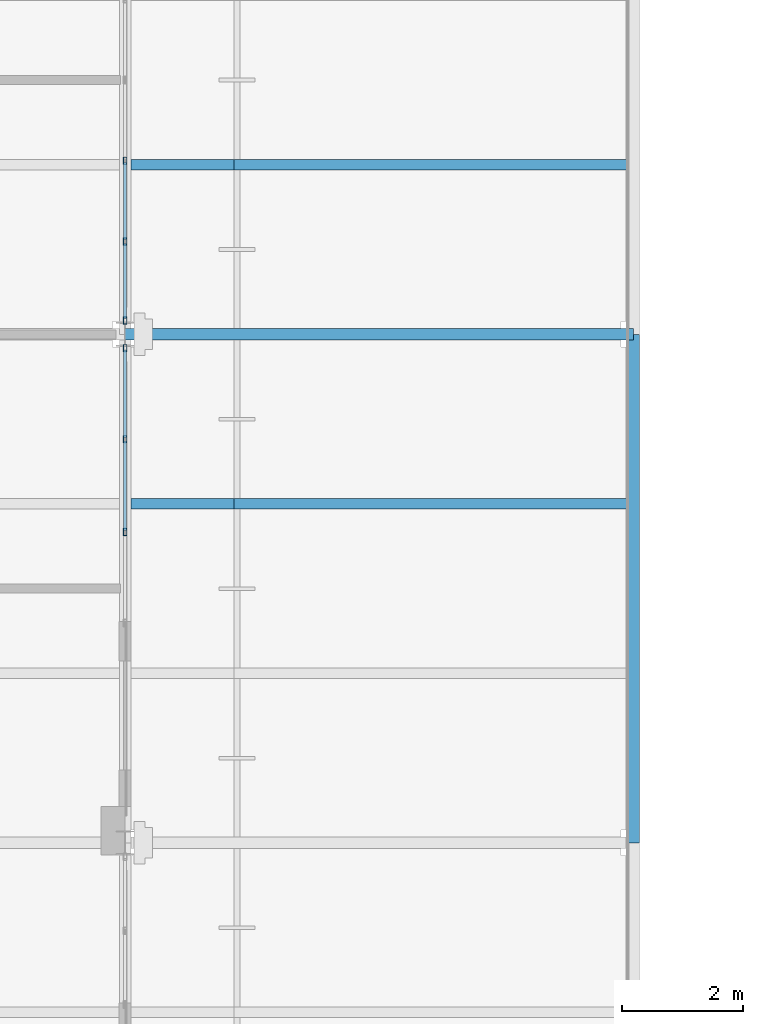
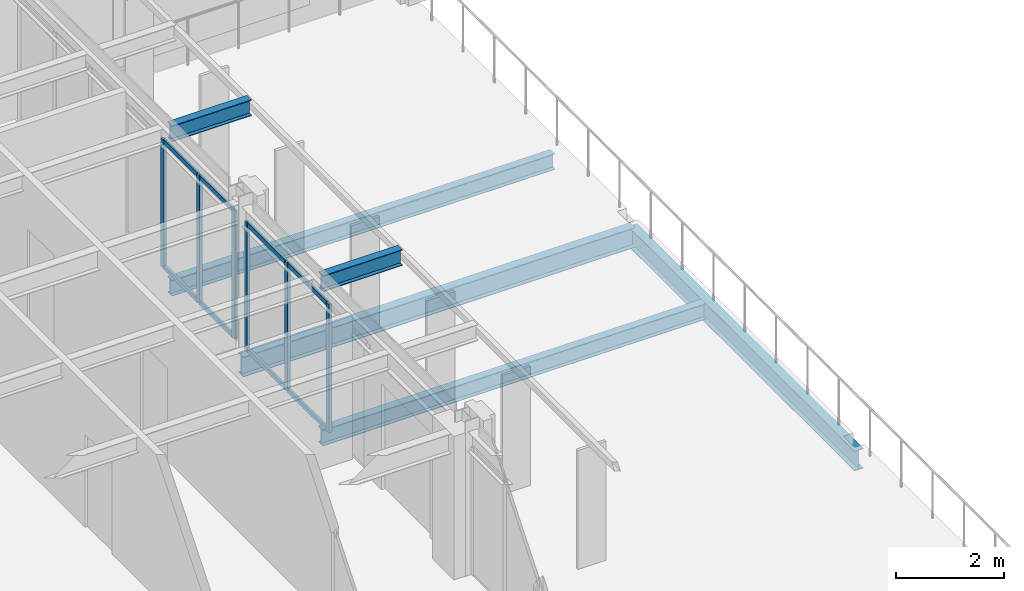
# One storey, part 19 of 31: 14 members, 6 beams, 2 elements without a shape of their own.
"""IFC4 building model written with IfcOpenShell, lengths in metres."""

import ifcopenshell
import ifcopenshell.guid

model = None  # the IFC model being written
_history = None  # IfcOwnerHistory: only IFC2X3 demands one
_inside = {}  # id of a spatial element -> (the spatial element, [elements in it])
_under = {}  # id of a project, library or spatial element -> (it, [spatial elements below it])
_declared = {}  # id of a project -> (the project, [libraries it declares])
_typed = {}  # id of a type object -> (the type object, [elements of that type])
_made_of = {}  # id of a material, layer set ... -> (it, [elements and type objects made of it])


def new_model(schema):
    """Start an empty IFC model of exactly this schema.

    Asked for "IFC4X3", IfcOpenShell would pick the latest addendum, in which some entities
    have other attributes; the version numbers below select the first issue.
    IFC2X3 requires an IfcOwnerHistory on every rooted entity: one is made here for all.
    """
    global model, _history
    if schema == "IFC4X3":
        model = ifcopenshell.file(schema_version=(4, 3, 0, 0))
    else:
        model = ifcopenshell.file(schema=schema)
    _inside.clear()
    _under.clear()
    _declared.clear()
    _typed.clear()
    _made_of.clear()
    _history = None
    if model.schema == "IFC2X3":
        org = make("IfcOrganization", Name="unknown")
        user = make(
            "IfcPersonAndOrganization",
            ThePerson=make("IfcPerson", FamilyName="unknown"),
            TheOrganization=org,
        )
        app = make(
            "IfcApplication",
            ApplicationDeveloper=org,
            Version="unknown",
            ApplicationFullName="unknown",
            ApplicationIdentifier="unknown",
        )
        _history = make(
            "IfcOwnerHistory",
            OwningUser=user,
            OwningApplication=app,
            ChangeAction="ADDED",
            CreationDate=0,
        )
    return model


def make(cls, **values):
    """One entity of the class cls with the attributes given. An attribute that is None is left unset."""
    return model.create_entity(
        cls, **{name: value for name, value in values.items() if value is not None}
    )


def rooted(cls, **values):
    """An entity with a GlobalId (a new one), such as an element, a storey or a relation."""
    return make(cls, GlobalId=ifcopenshell.guid.new(), OwnerHistory=_history, **values)


def si_unit(unit_type, name, prefix=None):
    """IfcSIUnit, for example si_unit("LENGTHUNIT", "METRE", prefix="MILLI")."""
    return make("IfcSIUnit", UnitType=unit_type, Prefix=prefix, Name=name)


def assignment(units):
    """IfcUnitAssignment: the units of a project."""
    return None if units is None else make("IfcUnitAssignment", Units=units)


def point(xyz):
    """IfcCartesianPoint."""
    return None if xyz is None else make("IfcCartesianPoint", Coordinates=xyz)


def direction(xyz):
    """IfcDirection."""
    return None if xyz is None else make("IfcDirection", DirectionRatios=xyz)


def frame(location, z_axis=None, x_axis=None):
    """IfcAxis2Placement3D, a coordinate frame: its origin and axes. An axis left out is left unset."""
    return make(
        "IfcAxis2Placement3D",
        Location=point(location),
        Axis=direction(z_axis),
        RefDirection=direction(x_axis),
    )


def frame_2d(location, x_axis=None):
    """IfcAxis2Placement2D, a coordinate frame in the plane: its origin and x axis."""
    return make(
        "IfcAxis2Placement2D", Location=point(location), RefDirection=direction(x_axis)
    )


def origin():
    """The frame at (0, 0, 0) with its axes left unset."""
    return frame((0.0, 0.0, 0.0))


def origin_2d():
    """The frame at (0, 0) in the plane with its x axis left unset."""
    return frame_2d((0.0, 0.0))


def place(relative_to, where):
    """IfcLocalPlacement: puts the frame where relative to a parent placement (None: the world)."""
    return make(
        "IfcLocalPlacement", PlacementRelTo=relative_to, RelativePlacement=where
    )


def context(
    kind, dimensions, precision=None, world=None, true_north=None, identifier=None
):
    """IfcGeometricRepresentationContext, for example the 3D "Model" context."""
    return make(
        "IfcGeometricRepresentationContext",
        ContextIdentifier=identifier,
        ContextType=kind,
        CoordinateSpaceDimension=dimensions,
        Precision=precision,
        WorldCoordinateSystem=world,
        TrueNorth=true_north,
    )


def subcontext(parent, identifier, kind, view, scale=None):
    """IfcGeometricRepresentationSubContext, for example "Body" below "Model"."""
    return make(
        "IfcGeometricRepresentationSubContext",
        ContextIdentifier=identifier,
        ContextType=kind,
        ParentContext=parent,
        TargetScale=scale,
        TargetView=view,
    )


def project(units=None, contexts=None):
    """IfcProject with its units and contexts."""
    return rooted(
        "IfcProject",
        Name="project",
        RepresentationContexts=contexts,
        UnitsInContext=assignment(units),
    )


def spatial(cls, under=None, at=None, **own):
    """A site, building, storey or space (cls), placed at a placement, below another one or the project."""
    s = rooted(cls, ObjectPlacement=at, **own)
    if under is not None:
        _under.setdefault(under.id(), (under, []))[1].append(s)
    return s


def profile(cls, at=None, kind="AREA", **sizes):
    """A parametric profile (cls). Its sizes go by their IFC names, for example OverallWidth=200.0."""
    return make(cls, ProfileType=kind, Position=at, **sizes)


def hollow_rectangle(**sizes):
    """IfcRectangleHollowProfileDef."""
    return profile("IfcRectangleHollowProfileDef", **sizes)


def i_section(**sizes):
    """IfcIShapeProfileDef."""
    return profile("IfcIShapeProfileDef", **sizes)


def extrude(swept, where, along, depth):
    """IfcExtrudedAreaSolid: the profile swept, set in the frame where, extruded along a direction by depth."""
    return make(
        "IfcExtrudedAreaSolid",
        SweptArea=swept,
        Position=where,
        ExtrudedDirection=direction(along),
        Depth=depth,
    )


def shape(context_of_items, identifier, shape_type, items):
    """IfcShapeRepresentation: the items that make up one representation, for example the "Body"."""
    return make(
        "IfcShapeRepresentation",
        ContextOfItems=context_of_items,
        RepresentationIdentifier=identifier,
        RepresentationType=shape_type,
        Items=items,
    )


def material(Name=None, Category=None):
    """IfcMaterial."""
    return make("IfcMaterial", Name=Name, Category=Category)


def material_profile(
    of_material, cross_section, Name=None, Category=None, Priority=None
):
    """IfcMaterialProfile: a cross section and its material."""
    return make(
        "IfcMaterialProfile",
        Name=Name,
        Material=of_material,
        Profile=cross_section,
        Priority=Priority,
        Category=Category,
    )


def profile_set(profiles, Name=None, composite=None):
    """IfcMaterialProfileSet."""
    return make(
        "IfcMaterialProfileSet",
        Name=Name,
        MaterialProfiles=profiles,
        CompositeProfile=composite,
    )


def made_of(thing, what):
    """Note that an element or type object is made of a material, layer set ...; save() writes the relation."""
    if what is not None:
        _made_of.setdefault(what.id(), (what, []))[1].append(thing)
    return thing


def type_object(cls, material=None, **own):
    """A type object (cls), such as IfcWallType, which elements share."""
    return made_of(rooted(cls, **own), material)


def element(
    cls,
    number,
    at=None,
    inside=None,
    cuts=None,
    type_object=None,
    material=None,
    context=None,
    identifier="Body",
    shape_type=None,
    held_by="IfcProductDefinitionShape",
    body=None,
    shapes=None,
    **own,
):
    """One element of the class cls, such as IfcWall. Its Tag is "e" and its number.

    at: its placement. inside: the storey or other place that contains it. cuts: it is an
    opening in that element (IfcRelVoidsElement). A single representation is given by context,
    identifier, shape_type and body (its items); several are given by shapes. held_by: the class
    of the entity that holds the representations. save() writes the other relations.
    """
    e = rooted(cls, Tag="e%d" % number, ObjectPlacement=at, **own)
    if body is not None:
        shapes = [shape(context, identifier, shape_type, body)]
    if shapes is not None:
        e.Representation = make(held_by, Representations=shapes)
    if inside is not None:
        _inside.setdefault(inside.id(), (inside, []))[1].append(e)
    if cuts is not None:
        rooted(
            "IfcRelVoidsElement", RelatingBuildingElement=cuts, RelatedOpeningElement=e
        )
    if type_object is not None:
        _typed.setdefault(type_object.id(), (type_object, []))[1].append(e)
    return made_of(e, material)


def aggregate(whole, parts):
    """IfcRelAggregates: a whole, such as a stair, and the parts it consists of."""
    return rooted("IfcRelAggregates", RelatingObject=whole, RelatedObjects=parts)


def save(model, path):
    """Write the relations noted so far, then the file.

    IfcRelAggregates (storeys below a building ...), IfcRelContainedInSpatialStructure (elements
    in a storey), IfcRelDefinesByType, IfcRelAssociatesMaterial and IfcRelDeclares: one each for
    every whole, place, type object, material and project.
    """
    for whole, parts in _under.values():
        aggregate(whole, parts)
    for where, things in _inside.values():
        rooted(
            "IfcRelContainedInSpatialStructure",
            RelatedElements=things,
            RelatingStructure=where,
        )
    for kind, things in _typed.values():
        rooted("IfcRelDefinesByType", RelatedObjects=things, RelatingType=kind)
    for what, things in _made_of.values():
        rooted("IfcRelAssociatesMaterial", RelatedObjects=things, RelatingMaterial=what)
    for by, libraries in _declared.values():
        rooted("IfcRelDeclares", RelatingContext=by, RelatedDefinitions=libraries)
    model.write(path)


model = new_model("IFC4")

# Units and contexts
model_context = context("Model", 3, precision=1e-05, world=origin(), true_north=direction((0.0, 1.0)))
body_context = subcontext(model_context, "Body", "Model", "MODEL_VIEW")
ifc_project = project(units=[si_unit("LENGTHUNIT", "METRE"), si_unit("AREAUNIT", "SQUARE_METRE"), si_unit("VOLUMEUNIT", "CUBIC_METRE"), si_unit("PLANEANGLEUNIT", "RADIAN"), si_unit("MASSUNIT", "GRAM", prefix="KILO")], contexts=[model_context])

# Site, building, storey
site_placement = place(None, origin())
site = spatial("IfcSite", under=ifc_project, at=site_placement, CompositionType="ELEMENT")
building_placement = place(site_placement, origin())
building = spatial("IfcBuilding", under=site, at=building_placement, Name="Catenary Quay Ferry Terminal", CompositionType="ELEMENT")
storey_placement = place(building_placement, frame((0.0, 0.0, 20.60009765625)))
storey = spatial("IfcBuildingStorey", under=building, at=storey_placement, Name="L04", CompositionType="ELEMENT", Elevation=20.60009765625)

# Beams
ifc_material_1 = material(Name="Steel S355", Category="steel")
ifc_material_profile_1 = material_profile(ifc_material_1, i_section(OverallWidth=0.18994140625, OverallDepth=0.453369140625, WebThickness=0.008544921875, FlangeThickness=0.0126953125, at=origin_2d()), Name="UB 457x191x67")
ifc_profile_set_1 = profile_set([ifc_material_profile_1], Name="Steel S355")
beam_type_1 = type_object("IfcBeamType", Name="B1 UB 457x191x67", PredefinedType="BEAM", material=ifc_profile_set_1)
for number, where, z_axis, x_axis, name in (
    (1, (42.0, 193.199951171875, -0.47705078125), (1.0, 0.0, 0.0), (0.0, 1.0, 0.0), "Beam B1-009"),
    (2, (50.39990234375, 184.800048828125, -0.47705078125), (0.0, 1.0, 0.0), (-1.0, 0.0, 0.0), "Beam B1-019"),
):
    element("IfcBeam", number, at=place(storey_placement, frame(where, z_axis=z_axis, x_axis=x_axis)), inside=storey, type_object=beam_type_1, Name=name, PredefinedType="BEAM", context=body_context, shape_type="SweptSolid", body=[
        extrude(i_section(OverallWidth=0.18994140625, OverallDepth=0.453369140625, WebThickness=0.008544921875, FlangeThickness=0.0126953125, at=origin_2d()), origin(), (0.0, 0.0, 1.0), 8.39990234375),
    ])
ifc_material_2 = material(Name="Steel S355", Category="steel")
ifc_material_profile_2 = material_profile(ifc_material_2, i_section(OverallWidth=0.169921875, OverallDepth=0.360107421875, WebThickness=0.008056640625, FlangeThickness=0.0126953125, at=origin_2d()), Name="IPE 360")
ifc_profile_set_2 = profile_set([ifc_material_profile_2], Name="Steel S355")
beam_type_2 = type_object("IfcBeamType", Name="B7 IPE 360", PredefinedType="BEAM", material=ifc_profile_set_2)
for number, where, z_axis, x_axis, name in (
    (3, (42.094970703125, 190.39990234375, -0.43017578125), (1.0, 0.0, 0.0), (0.0, 1.0, 0.0), "Beam B7-018"),
    (4, (42.094970703125, 196.0, -0.43017578125), (1.0, 0.0, 0.0), (0.0, 1.0, 0.0), "Beam B7-021"),
):
    element("IfcBeam", number, at=place(storey_placement, frame(where, z_axis=z_axis, x_axis=x_axis)), inside=storey, type_object=beam_type_2, Name=name, PredefinedType="BEAM", context=body_context, shape_type="SweptSolid", body=[
        extrude(i_section(OverallWidth=0.169921875, OverallDepth=0.360107421875, WebThickness=0.008056640625, FlangeThickness=0.0126953125, at=origin_2d()), origin(), (0.0, 0.0, 1.0), 8.2099609375),
    ])
ifc_material_3 = material(Name="Steel S355", Category="steel")
ifc_material_profile_3 = material_profile(ifc_material_3, i_section(OverallWidth=0.169921875, OverallDepth=0.360107421875, WebThickness=0.008056640625, FlangeThickness=0.0126953125, at=origin_2d()), Name="IPE 360")
ifc_profile_set_3 = profile_set([ifc_material_profile_3], Name="Steel S355")
beam_type_3 = type_object("IfcBeamType", Name="B9 IPE 360", PredefinedType="BEAM", material=ifc_profile_set_3)
for number, where, z_axis, x_axis, name in (
    (5, (42.095458984375, 190.39990234375, 3.06982421875), (1.0, 0.0, 0.0), (0.0, 1.0, 0.0), "Eaves cantilever E6"),
    (6, (42.095458984375, 196.0, 3.06982421875), (1.0, 0.0, 0.0), (0.0, 1.0, 0.0), "Eaves cantilever E7"),
):
    element("IfcBeam", number, at=place(storey_placement, frame(where, z_axis=z_axis, x_axis=x_axis)), inside=storey, type_object=beam_type_3, Name=name, PredefinedType="BEAM", context=body_context, shape_type="SweptSolid", body=[
        extrude(i_section(OverallWidth=0.169921875, OverallDepth=0.360107421875, WebThickness=0.008056640625, FlangeThickness=0.0126953125, at=origin_2d()), origin(), (0.0, 0.0, 1.0), 1.70458984375),
    ])

# Curtain wall, members
ifc_material_4 = material(Name="Aluminium and glass", Category="aluminium")
curtain_wall_type = type_object("IfcCurtainWallType", Name="CWW5", PredefinedType="NOTDEFINED", material=ifc_material_4)
curtain_wall_1_placement = place(storey_placement, origin())
curtain_wall_1 = element("IfcCurtainWall", 7, at=curtain_wall_1_placement, inside=storey, type_object=curtain_wall_type, Name="Wing curtain wall CW161", PredefinedType="NOTDEFINED")
ifc_material_5 = material(Name="Aluminium", Category="aluminium")
ifc_material_profile_4 = material_profile(ifc_material_5, hollow_rectangle(XDim=0.06005859375, YDim=0.1201171875, WallThickness=0.0048828125, at=origin_2d()), Name="MU4")
ifc_profile_set_4 = profile_set([ifc_material_profile_4], Name="Aluminium")
member_type_1 = type_object("IfcMemberType", Name="MU4", PredefinedType="MULLION", material=ifc_profile_set_4)
member_1_placement = place(storey_placement, frame((42.0, 189.933349609375, 0.0), z_axis=(0.0, 0.0, 1.0), x_axis=(-1.0, 0.0, 0.0)))
member_1 = element("IfcMember", 8, at=member_1_placement, type_object=member_type_1, Name="CW161 mullion 2", PredefinedType="MULLION", context=body_context, shape_type="SweptSolid", body=[
    extrude(hollow_rectangle(XDim=0.06005859375, YDim=0.1201171875, WallThickness=0.0048828125, at=origin_2d()), origin(), (0.0, 0.0, 1.0), 2.89990234375),
])
member_2_placement = place(storey_placement, frame((42.0, 191.466552734375, 0.0), z_axis=(0.0, 0.0, 1.0), x_axis=(-1.0, 0.0, 0.0)))
member_2 = element("IfcMember", 9, at=member_2_placement, type_object=member_type_1, Name="CW161 mullion 3", PredefinedType="MULLION", context=body_context, shape_type="SweptSolid", body=[
    extrude(hollow_rectangle(XDim=0.06005859375, YDim=0.1201171875, WallThickness=0.0048828125, at=origin_2d()), origin(), (0.0, 0.0, 1.0), 2.89990234375),
])
member_3_placement = place(storey_placement, frame((42.0, 192.969970703125, 0.0), z_axis=(0.0, 0.0, 1.0), x_axis=(-1.0, 0.0, 0.0)))
member_3 = element("IfcMember", 10, at=member_3_placement, type_object=member_type_1, Name="CW161 mullion 4", PredefinedType="MULLION", context=body_context, shape_type="SweptSolid", body=[
    extrude(hollow_rectangle(XDim=0.06005859375, YDim=0.1201171875, WallThickness=0.0048828125, at=origin_2d()), origin(), (0.0, 0.0, 1.0), 2.89990234375),
])

curtain_wall_2_placement = place(storey_placement, origin())
curtain_wall_2 = element("IfcCurtainWall", 11, at=curtain_wall_2_placement, inside=storey, type_object=curtain_wall_type, Name="Wing curtain wall CW162", PredefinedType="NOTDEFINED")
member_4_placement = place(storey_placement, frame((42.0, 193.429931640625, 0.0), z_axis=(0.0, 0.0, 1.0), x_axis=(-1.0, 0.0, 0.0)))
member_4 = element("IfcMember", 12, at=member_4_placement, type_object=member_type_1, Name="CW162 mullion 1", PredefinedType="MULLION", context=body_context, shape_type="SweptSolid", body=[
    extrude(hollow_rectangle(XDim=0.06005859375, YDim=0.1201171875, WallThickness=0.0048828125, at=origin_2d()), origin(), (0.0, 0.0, 1.0), 2.89990234375),
])
member_5_placement = place(storey_placement, frame((42.0, 194.7333984375, 0.0), z_axis=(0.0, 0.0, 1.0), x_axis=(-1.0, 0.0, 0.0)))
member_5 = element("IfcMember", 13, at=member_5_placement, type_object=member_type_1, Name="CW162 mullion 2", PredefinedType="MULLION", context=body_context, shape_type="SweptSolid", body=[
    extrude(hollow_rectangle(XDim=0.06005859375, YDim=0.1201171875, WallThickness=0.0048828125, at=origin_2d()), origin(), (0.0, 0.0, 1.0), 2.89990234375),
])
member_6_placement = place(storey_placement, frame((42.0, 196.066650390625, 0.0), z_axis=(0.0, 0.0, 1.0), x_axis=(-1.0, 0.0, 0.0)))
member_6 = element("IfcMember", 14, at=member_6_placement, type_object=member_type_1, Name="CW162 mullion 3", PredefinedType="MULLION", context=body_context, shape_type="SweptSolid", body=[
    extrude(hollow_rectangle(XDim=0.06005859375, YDim=0.1201171875, WallThickness=0.0048828125, at=origin_2d()), origin(), (0.0, 0.0, 1.0), 2.89990234375),
])

# Member
ifc_material_6 = material(Name="Aluminium", Category="aluminium")
ifc_material_profile_5 = material_profile(ifc_material_6, hollow_rectangle(XDim=0.050048828125, YDim=0.10009765625, WallThickness=0.00390625, at=origin_2d()), Name="TR4")
ifc_profile_set_5 = profile_set([ifc_material_profile_5], Name="Aluminium")
member_type_2 = type_object("IfcMemberType", Name="TR4", PredefinedType="USERDEFINED", material=ifc_profile_set_5)
member_7_placement = place(storey_placement, frame((42.0, 189.96337890625, 0.02490234375), z_axis=(0.0, 1.0, 0.0), x_axis=(-1.0, 0.0, 0.0)))
member_7 = element("IfcMember", 15, at=member_7_placement, type_object=member_type_2, Name="CW161 transom 2.1", ObjectType="TRANSOM", PredefinedType="USERDEFINED", context=body_context, shape_type="SweptSolid", body=[
    extrude(hollow_rectangle(XDim=0.050048828125, YDim=0.10009765625, WallThickness=0.00390625, at=origin_2d()), origin(), (0.0, 0.0, 1.0), 1.473388671875),
])

member_8_placement = place(storey_placement, frame((42.0, 189.96337890625, 2.875), z_axis=(0.0, 1.0, 0.0), x_axis=(-1.0, 0.0, 0.0)))
member_8 = element("IfcMember", 16, at=member_8_placement, type_object=member_type_2, Name="CW161 transom 2.2", ObjectType="TRANSOM", PredefinedType="USERDEFINED", context=body_context, shape_type="SweptSolid", body=[
    extrude(hollow_rectangle(XDim=0.050048828125, YDim=0.10009765625, WallThickness=0.00390625, at=origin_2d()), origin(), (0.0, 0.0, 1.0), 1.473388671875),
])

member_9_placement = place(storey_placement, frame((42.0, 191.49658203125, 0.02490234375), z_axis=(0.0, 1.0, 0.0), x_axis=(-1.0, 0.0, 0.0)))
member_9 = element("IfcMember", 17, at=member_9_placement, type_object=member_type_2, Name="CW161 transom 3.1", ObjectType="TRANSOM", PredefinedType="USERDEFINED", context=body_context, shape_type="SweptSolid", body=[
    extrude(hollow_rectangle(XDim=0.050048828125, YDim=0.10009765625, WallThickness=0.00390625, at=origin_2d()), origin(), (0.0, 0.0, 1.0), 1.443359375),
])

member_10_placement = place(storey_placement, frame((42.0, 191.49658203125, 2.875), z_axis=(0.0, 1.0, 0.0), x_axis=(-1.0, 0.0, 0.0)))
member_10 = element("IfcMember", 18, at=member_10_placement, type_object=member_type_2, Name="CW161 transom 3.2", ObjectType="TRANSOM", PredefinedType="USERDEFINED", context=body_context, shape_type="SweptSolid", body=[
    extrude(hollow_rectangle(XDim=0.050048828125, YDim=0.10009765625, WallThickness=0.00390625, at=origin_2d()), origin(), (0.0, 0.0, 1.0), 1.443359375),
])

aggregate(curtain_wall_1, [member_1, member_2, member_3, member_7, member_8, member_9, member_10])

member_11_placement = place(storey_placement, frame((42.0, 193.4599609375, 0.02490234375), z_axis=(0.0, 1.0, 0.0), x_axis=(-1.0, 0.0, 0.0)))
member_11 = element("IfcMember", 19, at=member_11_placement, type_object=member_type_2, Name="CW162 transom 1.1", ObjectType="TRANSOM", PredefinedType="USERDEFINED", context=body_context, shape_type="SweptSolid", body=[
    extrude(hollow_rectangle(XDim=0.050048828125, YDim=0.10009765625, WallThickness=0.00390625, at=origin_2d()), origin(), (0.0, 0.0, 1.0), 1.243408203125),
])

member_12_placement = place(storey_placement, frame((42.0, 193.4599609375, 2.875), z_axis=(0.0, 1.0, 0.0), x_axis=(-1.0, 0.0, 0.0)))
member_12 = element("IfcMember", 20, at=member_12_placement, type_object=member_type_2, Name="CW162 transom 1.2", ObjectType="TRANSOM", PredefinedType="USERDEFINED", context=body_context, shape_type="SweptSolid", body=[
    extrude(hollow_rectangle(XDim=0.050048828125, YDim=0.10009765625, WallThickness=0.00390625, at=origin_2d()), origin(), (0.0, 0.0, 1.0), 1.243408203125),
])

member_13_placement = place(storey_placement, frame((42.0, 194.763427734375, 0.02490234375), z_axis=(0.0, 1.0, 0.0), x_axis=(-1.0, 0.0, 0.0)))
member_13 = element("IfcMember", 21, at=member_13_placement, type_object=member_type_2, Name="CW162 transom 2.1", ObjectType="TRANSOM", PredefinedType="USERDEFINED", context=body_context, shape_type="SweptSolid", body=[
    extrude(hollow_rectangle(XDim=0.050048828125, YDim=0.10009765625, WallThickness=0.00390625, at=origin_2d()), origin(), (0.0, 0.0, 1.0), 1.273193359375),
])

member_14_placement = place(storey_placement, frame((42.0, 194.763427734375, 2.875), z_axis=(0.0, 1.0, 0.0), x_axis=(-1.0, 0.0, 0.0)))
member_14 = element("IfcMember", 22, at=member_14_placement, type_object=member_type_2, Name="CW162 transom 2.2", ObjectType="TRANSOM", PredefinedType="USERDEFINED", context=body_context, shape_type="SweptSolid", body=[
    extrude(hollow_rectangle(XDim=0.050048828125, YDim=0.10009765625, WallThickness=0.00390625, at=origin_2d()), origin(), (0.0, 0.0, 1.0), 1.273193359375),
])

aggregate(curtain_wall_2, [member_4, member_5, member_6, member_11, member_12, member_13, member_14])

save(model, "model.ifc")
